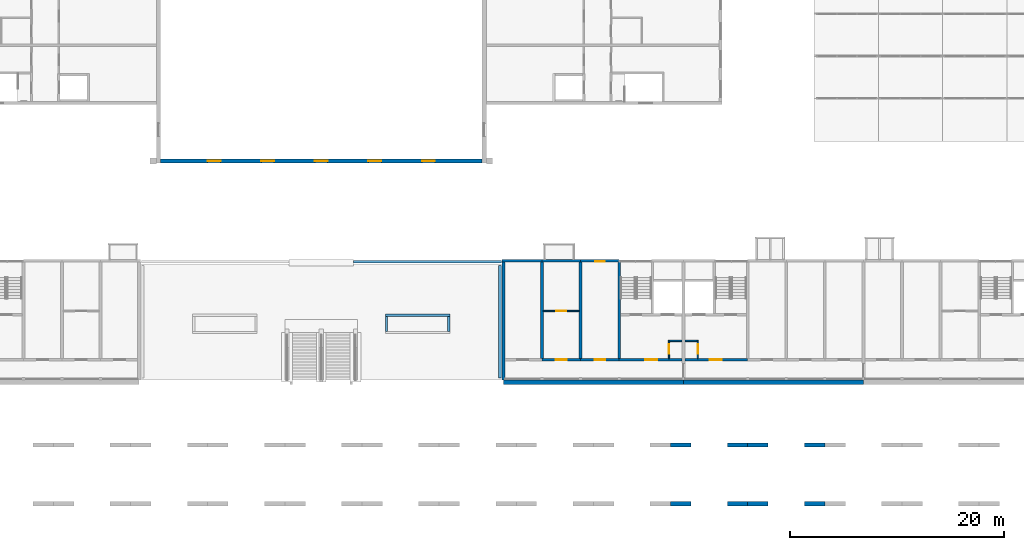
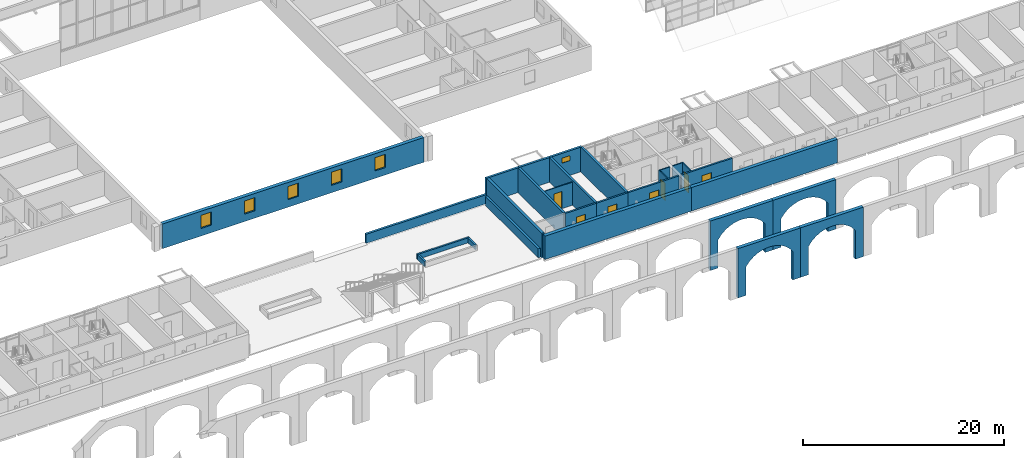
# One storey, part 68 of 122: 28 walls, 7 doors, 6 windows, 13 openings.
"""IFC4 building model written with IfcOpenShell, lengths in metres."""

from ifc_helpers import new_model, si_unit, direction, frame, frame_2d, origin, place, context, subcontext, project, spatial, polyline, rectangle, outline, extrude, material, layer, layer_set, type_object, element, fill, save


model = new_model("IFC4")

# Units and contexts
model_context = context("Model", 3, precision=1e-05, world=origin(), true_north=direction((0.0, 1.0)))
body_context = subcontext(model_context, "Body", "Model", "MODEL_VIEW")
ifc_project = project(units=[si_unit("LENGTHUNIT", "METRE"), si_unit("AREAUNIT", "SQUARE_METRE"), si_unit("VOLUMEUNIT", "CUBIC_METRE"), si_unit("PLANEANGLEUNIT", "RADIAN"), si_unit("MASSUNIT", "GRAM", prefix="KILO")], contexts=[model_context])

# Site, building, storey
site_placement = place(None, origin())
site = spatial("IfcSite", under=ifc_project, at=site_placement, CompositionType="ELEMENT")
building_placement = place(site_placement, origin())
building = spatial("IfcBuilding", under=site, at=building_placement, Name="Ridgestep Commons", CompositionType="ELEMENT")
storey_placement = place(building_placement, frame((0.0, 0.0, 3.0)))
storey = spatial("IfcBuildingStorey", under=building, at=storey_placement, Name="L01", CompositionType="ELEMENT", Elevation=3.0)

# Walls
ifc_material_1 = material(Name="Concrete C30/37", Category="concrete")
ifc_layer_1 = layer(ifc_material_1, 0.199951171875)
ifc_layer_set_1 = layer_set([ifc_layer_1], Name="Community planter wall 200")
wall_type_1 = type_object("IfcWallType", Name="Community planter wall 200", PredefinedType="SOLIDWALL", material=ifc_layer_set_1)
wall_1_placement = place(storey_placement, frame((135.800048828125, 17.800048828125, 0.0), z_axis=(0.0, 0.0, 1.0), x_axis=(1.0, 0.0, 0.0)))
element("IfcWall", 1, at=wall_1_placement, inside=storey, type_object=wall_type_1, Name="Planter wall", PredefinedType="SOLIDWALL", context=body_context, shape_type="SweptSolid", body=[
    extrude(rectangle(XDim=6.0, YDim=0.199951171875, at=frame_2d((3.0, 0.0))), origin(), (0.0, 0.0, 1.0), 0.60009765625),
])
for number, where, z_axis, x_axis, name in (
    (2, (135.89990234375, 16.300048828125, 0.0), (0.0, 0.0, 1.0), (0.0, 1.0, 0.0), "Planter wall"),
    (3, (141.699951171875, 16.300048828125, 0.0), (0.0, 0.0, 1.0), (0.0, 1.0, 0.0), "Planter wall"),
):
    element("IfcWall", number, at=place(storey_placement, frame(where, z_axis=z_axis, x_axis=x_axis)), inside=storey, type_object=wall_type_1, Name=name, PredefinedType="SOLIDWALL", context=body_context, shape_type="SweptSolid", body=[
        extrude(rectangle(XDim=1.39990234375, YDim=0.199951171875, at=frame_2d((0.699951171875, 0.0))), origin(), (0.0, 0.0, 1.0), 0.60009765625),
    ])
ifc_material_2 = material(Name="Precast concrete C40/50", Category="concrete")
ifc_layer_2 = layer(ifc_material_2, 0.39990234375)
ifc_layer_set_2 = layer_set([ifc_layer_2], Name="Community south arcade inner wall 400")
wall_type_2 = type_object("IfcWallType", Name="Community south arcade inner wall 400", PredefinedType="SOLIDWALL", material=ifc_layer_set_2)
wall_2_placement = place(storey_placement, frame((162.39990234375, 5.5, -3.25), z_axis=(0.0, -1.0, 0.0), x_axis=(1.0, 0.0, 0.0)))
element("IfcWall", 4, at=wall_2_placement, inside=storey, type_object=wall_type_2, Name="South arcade inner wall", PredefinedType="SOLIDWALL", context=body_context, shape_type="SweptSolid", body=[
    extrude(outline(polyline([(0.0, 0.0), (0.900146484375, 0.0), (0.900146484375, 3.449951171875), (1.35009765625, 4.01708984375), (1.800048828125, 4.3916015625), (2.25, 4.649169921875), (2.7001953125, 4.820068359375), (3.150146484375, 4.91796875), (3.60009765625, 4.949951171875), (4.050048828125, 4.91796875), (4.5, 4.820068359375), (4.9501953125, 4.649169921875), (5.400146484375, 4.3916015625), (5.85009765625, 4.01708984375), (6.300048828125, 3.449951171875), (6.300048828125, 0.0), (7.2001953125, 0.0), (7.2001953125, 6.0), (0.0, 6.0), (0.0, 0.0)])), origin(), (0.0, 0.0, -1.0), 0.39990234375),
])
wall_3_placement = place(storey_placement, frame((169.60009765625, 5.5, -3.25), z_axis=(0.0, -1.0, 0.0), x_axis=(1.0, 0.0, 0.0)))
element("IfcWall", 5, at=wall_3_placement, inside=storey, type_object=wall_type_2, Name="South arcade inner wall", PredefinedType="SOLIDWALL", context=body_context, shape_type="SweptSolid", body=[
    extrude(outline(polyline([(0.0, 0.0), (0.89990234375, 0.0), (0.89990234375, 3.449951171875), (1.349853515625, 4.01708984375), (1.7998046875, 4.3916015625), (2.25, 4.649169921875), (2.699951171875, 4.820068359375), (3.14990234375, 4.91796875), (3.599853515625, 4.949951171875), (4.0498046875, 4.91796875), (4.5, 4.820068359375), (4.949951171875, 4.649169921875), (5.39990234375, 4.3916015625), (5.849853515625, 4.01708984375), (6.2998046875, 3.449951171875), (6.2998046875, 0.0), (7.199951171875, 0.0), (7.199951171875, 6.0), (0.0, 6.0), (0.0, 0.0)])), origin(), (0.0, 0.0, -1.0), 0.39990234375),
])
ifc_material_3 = material(Name="Precast concrete C40/50", Category="concrete")
ifc_layer_3 = layer(ifc_material_3, 0.39990234375)
ifc_layer_set_3 = layer_set([ifc_layer_3], Name="Community south arcade wall 400")
wall_type_3 = type_object("IfcWallType", Name="Community south arcade wall 400", PredefinedType="SOLIDWALL", material=ifc_layer_set_3)
wall_4_placement = place(storey_placement, frame((162.39990234375, 0.001953125, -3.25), z_axis=(0.0, -1.0, 0.0), x_axis=(1.0, 0.0, 0.0)))
element("IfcWall", 6, at=wall_4_placement, inside=storey, type_object=wall_type_3, Name="South arcade wall", PredefinedType="SOLIDWALL", context=body_context, shape_type="SweptSolid", body=[
    extrude(outline(polyline([(0.0, 0.0), (0.900146484375, 0.0), (0.900146484375, 3.449951171875), (1.35009765625, 4.01708984375), (1.800048828125, 4.3916015625), (2.25, 4.649169921875), (2.7001953125, 4.820068359375), (3.150146484375, 4.91796875), (3.60009765625, 4.949951171875), (4.050048828125, 4.91796875), (4.5, 4.820068359375), (4.9501953125, 4.649169921875), (5.400146484375, 4.3916015625), (5.85009765625, 4.01708984375), (6.300048828125, 3.449951171875), (6.300048828125, 0.0), (7.2001953125, 0.0), (7.2001953125, 6.0), (0.0, 6.0), (0.0, 0.0)])), origin(), (0.0, 0.0, -1.0), 0.39990234375),
])
wall_5_placement = place(storey_placement, frame((169.60009765625, 0.001953125, -3.25), z_axis=(0.0, -1.0, 0.0), x_axis=(1.0, 0.0, 0.0)))
element("IfcWall", 7, at=wall_5_placement, inside=storey, type_object=wall_type_3, Name="South arcade wall", PredefinedType="SOLIDWALL", context=body_context, shape_type="SweptSolid", body=[
    extrude(outline(polyline([(0.0, 0.0), (0.89990234375, 0.0), (0.89990234375, 3.449951171875), (1.349853515625, 4.01708984375), (1.7998046875, 4.3916015625), (2.25, 4.649169921875), (2.699951171875, 4.820068359375), (3.14990234375, 4.91796875), (3.599853515625, 4.949951171875), (4.0498046875, 4.91796875), (4.5, 4.820068359375), (4.949951171875, 4.649169921875), (5.39990234375, 4.3916015625), (5.849853515625, 4.01708984375), (6.2998046875, 3.449951171875), (6.2998046875, 0.0), (7.199951171875, 0.0), (7.199951171875, 6.0), (0.0, 6.0), (0.0, 0.0)])), origin(), (0.0, 0.0, -1.0), 0.39990234375),
])
ifc_material_4 = material(Name="Precast concrete C40/50", Category="concrete")
ifc_layer_4 = layer(ifc_material_4, 0.25)
ifc_layer_set_4 = layer_set([ifc_layer_4], Name="Community terrace parapet 250")
wall_type_4 = type_object("IfcWallType", Name="Community terrace parapet 250", PredefinedType="PARAPET", material=ifc_layer_set_4)
wall_6_placement = place(storey_placement, frame((132.800048828125, 22.800048828125, 0.0), z_axis=(0.0, 0.0, 1.0), x_axis=(1.0, 0.0, 0.0)))
element("IfcWall", 8, at=wall_6_placement, inside=storey, type_object=wall_type_4, Name="Terrace parapet", PredefinedType="PARAPET", context=body_context, shape_type="SweptSolid", body=[
    extrude(rectangle(XDim=13.800048828125, YDim=0.25, at=frame_2d((6.89990234375, 0.0))), origin(), (0.0, 0.0, 1.0), 1.10009765625),
])
wall_7_placement = place(storey_placement, frame((146.47509765625, 11.949951171875, 0.0), z_axis=(0.0, 0.0, 1.0), x_axis=(0.0, 1.0, 0.0)))
element("IfcWall", 9, at=wall_7_placement, inside=storey, type_object=wall_type_4, Name="Terrace parapet", PredefinedType="PARAPET", context=body_context, shape_type="SweptSolid", body=[
    extrude(rectangle(XDim=10.5, YDim=0.25, at=frame_2d((5.25, 0.0))), origin(), (0.0, 0.0, 1.0), 1.10009765625),
])
ifc_material_5 = material(Name="Concrete C30/37", Category="concrete")
ifc_layer_5 = layer(ifc_material_5, 0.25)
ifc_layer_set_5 = layer_set([ifc_layer_5], Name="Core cross wall 250")
wall_type_5 = type_object("IfcWallType", Name="Core cross wall 250", PredefinedType="SHEAR", material=ifc_layer_set_5)
wall_8_placement = place(storey_placement, frame((157.60009765625, 13.75, 0.0), z_axis=(0.0, 0.0, 1.0), x_axis=(0.0, 1.0, 0.0)))
element("IfcWall", 10, at=wall_8_placement, inside=storey, type_object=wall_type_5, Name="Cross wall D-01-1576", PredefinedType="SHEAR", context=body_context, shape_type="SweptSolid", body=[
    extrude(rectangle(XDim=9.0, YDim=0.25, at=frame_2d((4.5, 0.0))), origin(), (0.0, 0.0, 1.0), 3.0),
])

# Wall, opening, door
ifc_material_6 = material(Name="Concrete C30/37", Category="concrete")
ifc_layer_6 = layer(ifc_material_6, 0.199951171875)
ifc_layer_set_6 = layer_set([ifc_layer_6], Name="Core south wall 200")
wall_type_6 = type_object("IfcWallType", Name="Core south wall 200", PredefinedType="SHEAR", material=ifc_layer_set_6)
wall_9_placement = place(storey_placement, frame((157.60009765625, 13.64990234375, 0.0), z_axis=(0.0, 0.0, 1.0), x_axis=(1.0, 0.0, 0.0)))
wall_9 = element("IfcWall", 11, at=wall_9_placement, inside=storey, type_object=wall_type_6, Name="Core south wall D1C L01", PredefinedType="SHEAR", context=body_context, shape_type="SweptSolid", body=[
    extrude(rectangle(XDim=5.849853515625, YDim=0.199951171875, at=frame_2d((2.9248046875, 0.0))), origin(), (0.0, 0.0, 1.0), 3.0),
])
opening_1_placement = place(wall_9_placement, frame((2.4375, 0.0, 0.0)))
opening_1 = element("IfcOpeningElement", 12, at=opening_1_placement, cuts=wall_9, Name="Opening D1C/01/1", PredefinedType="OPENING", context=body_context, shape_type="SweptSolid", body=[
    extrude(rectangle(XDim=1.10009765625, YDim=2.10009765625, at=frame_2d((0.550048828125, 1.050048828125))), frame((0.0, 0.10986328125, 0.0), z_axis=(0.0, -1.0, 0.0), x_axis=(1.0, 0.0, 0.0)), (0.0, 0.0, 1.0), 0.219970703125),
])
ifc_material_7 = material(Name="Steel fire door", Category="steel")
door_type_1 = type_object("IfcDoorType", Name="Lobby door 1100 x 2100 FD60", OperationType="NOTDEFINED", PredefinedType="DOOR", material=ifc_material_7)
door_1_placement = place(opening_1_placement, origin())
door_1 = element("IfcDoor", 13, at=door_1_placement, inside=storey, type_object=door_type_1, Name="Lobby door D1C/01/1", OperationType="SINGLE_SWING_LEFT", OverallHeight=2.10009765625, OverallWidth=1.10009765625, PredefinedType="DOOR", context=body_context, shape_type="SweptSolid", body=[
    extrude(rectangle(XDim=1.10009765625, YDim=2.10009765625, at=frame_2d((0.550048828125, 1.050048828125))), frame((0.0, 0.02490234375, 0.0), z_axis=(0.0, -1.0, 0.0), x_axis=(1.0, 0.0, 0.0)), (0.0, 0.0, 1.0), 0.050048828125),
])
fill(opening_1, door_1)

wall_10_placement = place(storey_placement, frame((163.75, 13.64990234375, 0.0), z_axis=(0.0, 0.0, 1.0), x_axis=(1.0, 0.0, 0.0)))
wall_10 = element("IfcWall", 14, at=wall_10_placement, inside=storey, type_object=wall_type_6, Name="Core south wall D2C L01", PredefinedType="SHEAR", context=body_context, shape_type="SweptSolid", body=[
    extrude(rectangle(XDim=5.85009765625, YDim=0.199951171875, at=frame_2d((2.925048828125, 0.0))), origin(), (0.0, 0.0, 1.0), 3.0),
])
opening_2_placement = place(wall_10_placement, frame((2.3125, 0.0, 0.0)))
opening_2 = element("IfcOpeningElement", 15, at=opening_2_placement, cuts=wall_10, Name="Opening D2C/01/1", PredefinedType="OPENING", context=body_context, shape_type="SweptSolid", body=[
    extrude(rectangle(XDim=1.10009765625, YDim=2.10009765625, at=frame_2d((0.550048828125, 1.050048828125))), frame((0.0, 0.10986328125, 0.0), z_axis=(0.0, -1.0, 0.0), x_axis=(1.0, 0.0, 0.0)), (0.0, 0.0, 1.0), 0.219970703125),
])
door_2_placement = place(opening_2_placement, origin())
door_2 = element("IfcDoor", 16, at=door_2_placement, inside=storey, type_object=door_type_1, Name="Lobby door D2C/01/1", OperationType="SINGLE_SWING_LEFT", OverallHeight=2.10009765625, OverallWidth=1.10009765625, PredefinedType="DOOR", context=body_context, shape_type="SweptSolid", body=[
    extrude(rectangle(XDim=1.10009765625, YDim=2.10009765625, at=frame_2d((0.550048828125, 1.050048828125))), frame((0.0, 0.02490234375, 0.0), z_axis=(0.0, -1.0, 0.0), x_axis=(1.0, 0.0, 0.0)), (0.0, 0.0, 1.0), 0.050048828125),
])
fill(opening_2, door_2)

ifc_material_8 = material(Name="Concrete C30/37", Category="concrete")
ifc_layer_7 = layer(ifc_material_8, 0.1201171875)
ifc_layer_set_7 = layer_set([ifc_layer_7], Name="Core wall 120")
wall_type_7 = type_object("IfcWallType", Name="Core wall 120", PredefinedType="SHEAR", material=ifc_layer_set_7)
wall_11_placement = place(storey_placement, frame((162.260009765625, 13.75, 0.0), z_axis=(0.0, 0.0, 1.0), x_axis=(0.0, 1.0, 0.0)))
wall_11 = element("IfcWall", 17, at=wall_11_placement, inside=storey, type_object=wall_type_7, Name="Core riser w wall D1C L01", PredefinedType="SHEAR", context=body_context, shape_type="SweptSolid", body=[
    extrude(rectangle(XDim=1.719970703125, YDim=0.1201171875, at=frame_2d((0.85986328125, 0.0))), origin(), (0.0, 0.0, 1.0), 3.0),
])
opening_3_placement = place(wall_11_placement, frame((0.449951171875, 0.0, 0.0)))
opening_3 = element("IfcOpeningElement", 18, at=opening_3_placement, cuts=wall_11, Name="Opening D1C/01/4", PredefinedType="OPENING", context=body_context, shape_type="SweptSolid", body=[
    extrude(rectangle(XDim=0.89990234375, YDim=2.10009765625, at=frame_2d((0.449951171875, 1.050048828125))), frame((0.0, 0.070068359375, 0.0), z_axis=(0.0, -1.0, 0.0), x_axis=(1.0, 0.0, 0.0)), (0.0, 0.0, 1.0), 0.14013671875),
])
ifc_material_9 = material(Name="Steel fire door", Category="steel")
door_type_2 = type_object("IfcDoorType", Name="Riser door 900 x 2100 FD60", OperationType="NOTDEFINED", PredefinedType="DOOR", material=ifc_material_9)
door_3_placement = place(opening_3_placement, origin())
door_3 = element("IfcDoor", 19, at=door_3_placement, inside=storey, type_object=door_type_2, Name="Riser door D1C/01/4", OperationType="SINGLE_SWING_LEFT", OverallHeight=2.10009765625, OverallWidth=0.89990234375, PredefinedType="DOOR", context=body_context, shape_type="SweptSolid", body=[
    extrude(rectangle(XDim=0.89990234375, YDim=2.10009765625, at=frame_2d((0.449951171875, 1.050048828125))), frame((0.0, 0.02490234375, 0.0), z_axis=(0.0, -1.0, 0.0), x_axis=(1.0, 0.0, 0.0)), (0.0, 0.0, 1.0), 0.050048828125),
])
fill(opening_3, door_3)

# Wall
wall_12_placement = place(storey_placement, frame((162.320068359375, 15.409912109375, 0.0), z_axis=(0.0, 0.0, 1.0), x_axis=(1.0, 0.0, 0.0)))
element("IfcWall", 20, at=wall_12_placement, inside=storey, type_object=wall_type_7, Name="Core riser n wall D1C L01", PredefinedType="SHEAR", context=body_context, shape_type="SweptSolid", body=[
    extrude(rectangle(XDim=1.1298828125, YDim=0.1201171875, at=frame_2d((0.56494140625, 0.0))), origin(), (0.0, 0.0, 1.0), 3.0),
])

# Wall, opening, door
wall_13_placement = place(storey_placement, frame((164.93994140625, 13.75, 0.0), z_axis=(0.0, 0.0, 1.0), x_axis=(0.0, 1.0, 0.0)))
wall_13 = element("IfcWall", 21, at=wall_13_placement, inside=storey, type_object=wall_type_7, Name="Core riser w wall D2C L01", PredefinedType="SHEAR", context=body_context, shape_type="SweptSolid", body=[
    extrude(rectangle(XDim=1.719970703125, YDim=0.1201171875, at=frame_2d((0.85986328125, 0.0))), origin(), (0.0, 0.0, 1.0), 3.0),
])
opening_4_placement = place(wall_13_placement, frame((0.449951171875, 0.0, 0.0)))
opening_4 = element("IfcOpeningElement", 22, at=opening_4_placement, cuts=wall_13, Name="Opening D2C/01/4", PredefinedType="OPENING", context=body_context, shape_type="SweptSolid", body=[
    extrude(rectangle(XDim=0.89990234375, YDim=2.10009765625, at=frame_2d((0.449951171875, 1.050048828125))), frame((0.0, 0.070068359375, 0.0), z_axis=(0.0, -1.0, 0.0), x_axis=(1.0, 0.0, 0.0)), (0.0, 0.0, 1.0), 0.14013671875),
])
door_4_placement = place(opening_4_placement, origin())
door_4 = element("IfcDoor", 23, at=door_4_placement, inside=storey, type_object=door_type_2, Name="Riser door D2C/01/4", OperationType="SINGLE_SWING_RIGHT", OverallHeight=2.10009765625, OverallWidth=0.89990234375, PredefinedType="DOOR", context=body_context, shape_type="SweptSolid", body=[
    extrude(rectangle(XDim=0.89990234375, YDim=2.10009765625, at=frame_2d((0.449951171875, 1.050048828125))), frame((0.0, 0.02490234375, 0.0), z_axis=(0.0, -1.0, 0.0), x_axis=(1.0, 0.0, 0.0)), (0.0, 0.0, 1.0), 0.050048828125),
])
fill(opening_4, door_4)

# Walls
wall_14_placement = place(storey_placement, frame((163.75, 15.409912109375, 0.0), z_axis=(0.0, 0.0, 1.0), x_axis=(1.0, 0.0, 0.0)))
element("IfcWall", 24, at=wall_14_placement, inside=storey, type_object=wall_type_7, Name="Core riser n wall D2C L01", PredefinedType="SHEAR", context=body_context, shape_type="SweptSolid", body=[
    extrude(rectangle(XDim=1.1298828125, YDim=0.1201171875, at=frame_2d((0.56494140625, 0.0))), origin(), (0.0, 0.0, 1.0), 3.0),
])
ifc_material_10 = material(Name="Precast concrete C40/50", Category="concrete")
ifc_layer_8 = layer(ifc_material_10, 0.25)
ifc_layer_set_8 = layer_set([ifc_layer_8], Name="Cross wall 250")
wall_type_8 = type_object("IfcWallType", Name="Cross wall 250", PredefinedType="SHEAR", material=ifc_layer_set_8)
for number, where, z_axis, x_axis, name in (
    (25, (150.39990234375, 13.75, 0.0), (0.0, 0.0, 1.0), (0.0, 1.0, 0.0), "Cross wall D-01-1504"),
    (26, (154.0, 13.75, 0.0), (0.0, 0.0, 1.0), (0.0, 1.0, 0.0), "Cross wall D-01-1540"),
):
    element("IfcWall", number, at=place(storey_placement, frame(where, z_axis=z_axis, x_axis=x_axis)), inside=storey, type_object=wall_type_8, Name=name, PredefinedType="SHEAR", context=body_context, shape_type="SweptSolid", body=[
        extrude(rectangle(XDim=9.0, YDim=0.25, at=frame_2d((4.5, 0.0))), origin(), (0.0, 0.0, 1.0), 3.0),
    ])
ifc_material_11 = material(Name="Precast concrete C40/50", Category="concrete")
ifc_layer_9 = layer(ifc_material_11, 0.300048828125)
ifc_layer_set_9 = layer_set([ifc_layer_9], Name="Exposed division wall 300")
wall_type_9 = type_object("IfcWallType", Name="Exposed division wall 300", PredefinedType="SHEAR", material=ifc_layer_set_9)
wall_15_placement = place(storey_placement, frame((146.800048828125, 11.75, 0.0), z_axis=(0.0, 0.0, 1.0), x_axis=(0.0, 1.0, 0.0)))
element("IfcWall", 27, at=wall_15_placement, inside=storey, type_object=wall_type_9, Name="Cross wall D-01-1468", PredefinedType="SHEAR", context=body_context, shape_type="SweptSolid", body=[
    extrude(rectangle(XDim=11.0, YDim=0.300048828125, at=frame_2d((5.5, 0.0))), origin(), (0.0, 0.0, 1.0), 3.0),
])

# Wall, openings, windows
ifc_material_12 = material(Name="Precast concrete C40/50", Category="concrete")
ifc_layer_10 = layer(ifc_material_12, 0.39990234375)
ifc_layer_set_10 = layer_set([ifc_layer_10], Name="Hall wall 400")
wall_type_10 = type_object("IfcWallType", Name="Hall wall 400", PredefinedType="SOLIDWALL", material=ifc_layer_set_10)
wall_16_placement = place(storey_placement, frame((114.800048828125, 32.199951171875, 0.0), z_axis=(0.0, 0.0, 1.0), x_axis=(1.0, 0.0, 0.0)))
wall_16 = element("IfcWall", 28, at=wall_16_placement, inside=storey, type_object=wall_type_10, Name="Hall wall 400", PredefinedType="SOLIDWALL", context=body_context, shape_type="SweptSolid", body=[
    extrude(rectangle(XDim=30.0, YDim=0.39990234375, at=frame_2d((15.0, 0.0))), origin(), (0.0, 0.0, 1.0), 3.0),
])
opening_5_placement = place(wall_16_placement, frame((4.39990234375, 0.0, 0.89990234375)))
opening_5 = element("IfcOpeningElement", 29, at=opening_5_placement, cuts=wall_16, Name="Opening WK6", PredefinedType="OPENING", context=body_context, shape_type="SweptSolid", body=[
    extrude(rectangle(XDim=1.199951171875, YDim=1.60009765625, at=frame_2d((0.60009765625, 0.800048828125))), frame((0.0, 0.2099609375, 0.0), z_axis=(0.0, -1.0, 0.0), x_axis=(1.0, 0.0, 0.0)), (0.0, 0.0, 1.0), 0.419921875),
])
opening_6_placement = place(wall_16_placement, frame((9.39990234375, 0.0, 0.89990234375)))
opening_6 = element("IfcOpeningElement", 30, at=opening_6_placement, cuts=wall_16, Name="Opening WK6", PredefinedType="OPENING", context=body_context, shape_type="SweptSolid", body=[
    extrude(rectangle(XDim=1.199951171875, YDim=1.60009765625, at=frame_2d((0.60009765625, 0.800048828125))), frame((0.0, 0.2099609375, 0.0), z_axis=(0.0, -1.0, 0.0), x_axis=(1.0, 0.0, 0.0)), (0.0, 0.0, 1.0), 0.419921875),
])
opening_7_placement = place(wall_16_placement, frame((14.39990234375, 0.0, 0.89990234375)))
opening_7 = element("IfcOpeningElement", 31, at=opening_7_placement, cuts=wall_16, Name="Opening WK6", PredefinedType="OPENING", context=body_context, shape_type="SweptSolid", body=[
    extrude(rectangle(XDim=1.199951171875, YDim=1.60009765625, at=frame_2d((0.60009765625, 0.800048828125))), frame((0.0, 0.2099609375, 0.0), z_axis=(0.0, -1.0, 0.0), x_axis=(1.0, 0.0, 0.0)), (0.0, 0.0, 1.0), 0.419921875),
])
opening_8_placement = place(wall_16_placement, frame((19.39990234375, 0.0, 0.89990234375)))
opening_8 = element("IfcOpeningElement", 32, at=opening_8_placement, cuts=wall_16, Name="Opening WK6", PredefinedType="OPENING", context=body_context, shape_type="SweptSolid", body=[
    extrude(rectangle(XDim=1.199951171875, YDim=1.60009765625, at=frame_2d((0.60009765625, 0.800048828125))), frame((0.0, 0.2099609375, 0.0), z_axis=(0.0, -1.0, 0.0), x_axis=(1.0, 0.0, 0.0)), (0.0, 0.0, 1.0), 0.419921875),
])
opening_9_placement = place(wall_16_placement, frame((24.39990234375, 0.0, 0.89990234375)))
opening_9 = element("IfcOpeningElement", 33, at=opening_9_placement, cuts=wall_16, Name="Opening WK6", PredefinedType="OPENING", context=body_context, shape_type="SweptSolid", body=[
    extrude(rectangle(XDim=1.199951171875, YDim=1.60009765625, at=frame_2d((0.60009765625, 0.800048828125))), frame((0.0, 0.2099609375, 0.0), z_axis=(0.0, -1.0, 0.0), x_axis=(1.0, 0.0, 0.0)), (0.0, 0.0, 1.0), 0.419921875),
])
ifc_material_13 = material(Name="Aluminium and glass", Category="aluminium")
window_type_1 = type_object("IfcWindowType", Name="Community high window 1200 x 1600", PartitioningType="SINGLE_PANEL", PredefinedType="WINDOW", material=ifc_material_13)
window_1_placement = place(opening_5_placement, origin())
window_1 = element("IfcWindow", 34, at=window_1_placement, inside=storey, type_object=window_type_1, Name="Community high window 1200 x 1600", OverallHeight=1.60009765625, OverallWidth=1.199951171875, PartitioningType="SINGLE_PANEL", PredefinedType="WINDOW", context=body_context, shape_type="SweptSolid", body=[
    extrude(rectangle(XDim=1.199951171875, YDim=1.60009765625, at=frame_2d((0.60009765625, 0.800048828125))), frame((0.0, 0.030029296875, 0.0), z_axis=(0.0, -1.0, 0.0), x_axis=(1.0, 0.0, 0.0)), (0.0, 0.0, 1.0), 0.06005859375),
])
fill(opening_5, window_1)
window_2_placement = place(opening_6_placement, origin())
window_2 = element("IfcWindow", 35, at=window_2_placement, inside=storey, type_object=window_type_1, Name="Community high window 1200 x 1600", OverallHeight=1.60009765625, OverallWidth=1.199951171875, PartitioningType="SINGLE_PANEL", PredefinedType="WINDOW", context=body_context, shape_type="SweptSolid", body=[
    extrude(rectangle(XDim=1.199951171875, YDim=1.60009765625, at=frame_2d((0.60009765625, 0.800048828125))), frame((0.0, 0.030029296875, 0.0), z_axis=(0.0, -1.0, 0.0), x_axis=(1.0, 0.0, 0.0)), (0.0, 0.0, 1.0), 0.06005859375),
])
fill(opening_6, window_2)
window_3_placement = place(opening_7_placement, origin())
window_3 = element("IfcWindow", 36, at=window_3_placement, inside=storey, type_object=window_type_1, Name="Community high window 1200 x 1600", OverallHeight=1.60009765625, OverallWidth=1.199951171875, PartitioningType="SINGLE_PANEL", PredefinedType="WINDOW", context=body_context, shape_type="SweptSolid", body=[
    extrude(rectangle(XDim=1.199951171875, YDim=1.60009765625, at=frame_2d((0.60009765625, 0.800048828125))), frame((0.0, 0.030029296875, 0.0), z_axis=(0.0, -1.0, 0.0), x_axis=(1.0, 0.0, 0.0)), (0.0, 0.0, 1.0), 0.06005859375),
])
fill(opening_7, window_3)
window_4_placement = place(opening_8_placement, origin())
window_4 = element("IfcWindow", 37, at=window_4_placement, inside=storey, type_object=window_type_1, Name="Community high window 1200 x 1600", OverallHeight=1.60009765625, OverallWidth=1.199951171875, PartitioningType="SINGLE_PANEL", PredefinedType="WINDOW", context=body_context, shape_type="SweptSolid", body=[
    extrude(rectangle(XDim=1.199951171875, YDim=1.60009765625, at=frame_2d((0.60009765625, 0.800048828125))), frame((0.0, 0.030029296875, 0.0), z_axis=(0.0, -1.0, 0.0), x_axis=(1.0, 0.0, 0.0)), (0.0, 0.0, 1.0), 0.06005859375),
])
fill(opening_8, window_4)
window_5_placement = place(opening_9_placement, origin())
window_5 = element("IfcWindow", 38, at=window_5_placement, inside=storey, type_object=window_type_1, Name="Community high window 1200 x 1600", OverallHeight=1.60009765625, OverallWidth=1.199951171875, PartitioningType="SINGLE_PANEL", PredefinedType="WINDOW", context=body_context, shape_type="SweptSolid", body=[
    extrude(rectangle(XDim=1.199951171875, YDim=1.60009765625, at=frame_2d((0.60009765625, 0.800048828125))), frame((0.0, 0.030029296875, 0.0), z_axis=(0.0, -1.0, 0.0), x_axis=(1.0, 0.0, 0.0)), (0.0, 0.0, 1.0), 0.06005859375),
])
fill(opening_9, window_5)

# Walls
ifc_material_14 = material(Name="Precast concrete C40/50", Category="concrete")
ifc_layer_11 = layer(ifc_material_14, 0.25)
ifc_layer_set_11 = layer_set([ifc_layer_11], Name="North facade panel 250")
wall_type_11 = type_object("IfcWallType", Name="North facade panel 250", PredefinedType="SOLIDWALL", material=ifc_layer_set_11)
wall_17_placement = place(storey_placement, frame((146.64990234375, 22.875, 0.0), z_axis=(0.0, 0.0, 1.0), x_axis=(1.0, 0.0, 0.0)))
element("IfcWall", 39, at=wall_17_placement, inside=storey, type_object=wall_type_11, Name="North panel D1T1 L01", PredefinedType="SOLIDWALL", context=body_context, shape_type="SweptSolid", body=[
    extrude(rectangle(XDim=3.75, YDim=0.25, at=frame_2d((1.875, 0.0))), origin(), (0.0, 0.0, 1.0), 3.0),
])
wall_18_placement = place(storey_placement, frame((150.39990234375, 22.875, 0.0), z_axis=(0.0, 0.0, 1.0), x_axis=(1.0, 0.0, 0.0)))
element("IfcWall", 40, at=wall_18_placement, inside=storey, type_object=wall_type_11, Name="North panel D1T2 L01", PredefinedType="SOLIDWALL", context=body_context, shape_type="SweptSolid", body=[
    extrude(rectangle(XDim=3.60009765625, YDim=0.25, at=frame_2d((1.800048828125, 0.0))), origin(), (0.0, 0.0, 1.0), 3.0),
])

# Wall, opening, window
wall_19_placement = place(storey_placement, frame((154.0, 22.875, 0.0), z_axis=(0.0, 0.0, 1.0), x_axis=(1.0, 0.0, 0.0)))
wall_19 = element("IfcWall", 41, at=wall_19_placement, inside=storey, type_object=wall_type_11, Name="North panel D1T3 L01", PredefinedType="SOLIDWALL", context=body_context, shape_type="SweptSolid", body=[
    extrude(rectangle(XDim=3.60009765625, YDim=0.25, at=frame_2d((1.800048828125, 0.0))), origin(), (0.0, 0.0, 1.0), 3.0),
])
opening_10_placement = place(wall_19_placement, frame((1.35009765625, 0.0, 1.800048828125)))
opening_10 = element("IfcOpeningElement", 42, at=opening_10_placement, cuts=wall_19, Name="Opening W02", PredefinedType="OPENING", context=body_context, shape_type="SweptSolid", body=[
    extrude(rectangle(XDim=0.89990234375, YDim=0.60009765625, at=frame_2d((0.449951171875, 0.300048828125))), frame((0.0, 0.135009765625, 0.0), z_axis=(0.0, -1.0, 0.0), x_axis=(1.0, 0.0, 0.0)), (0.0, 0.0, 1.0), 0.27001953125),
])
ifc_material_15 = material(Name="Aluminium 6063-T6 and glass", Category="aluminium")
window_type_2 = type_object("IfcWindowType", Name="Flat window 900 x 600", PartitioningType="SINGLE_PANEL", PredefinedType="WINDOW", material=ifc_material_15)
window_6_placement = place(opening_10_placement, origin())
window_6 = element("IfcWindow", 43, at=window_6_placement, inside=storey, type_object=window_type_2, Name="Window D1-01p 2", OverallHeight=0.60009765625, OverallWidth=0.89990234375, PartitioningType="SINGLE_PANEL", PredefinedType="WINDOW", context=body_context, shape_type="SweptSolid", body=[
    extrude(rectangle(XDim=0.89990234375, YDim=0.60009765625, at=frame_2d((0.449951171875, 0.300048828125))), frame((0.0, -0.02490234375, 0.0), z_axis=(0.0, -1.0, 0.0), x_axis=(1.0, 0.0, 0.0)), (0.0, 0.0, 1.0), 0.06005859375),
])
fill(opening_10, window_6)

# Wall, opening, door
ifc_material_16 = material(Name="Common brick 110 mm", Category="masonry")
ifc_layer_12 = layer(ifc_material_16, 0.110107421875)
ifc_layer_set_12 = layer_set([ifc_layer_12], Name="Partition 110")
wall_type_12 = type_object("IfcWallType", Name="Partition 110", PredefinedType="PARTITIONING", material=ifc_layer_set_12)
wall_20_placement = place(storey_placement, frame((150.52490234375, 18.205078125, 0.0), z_axis=(0.0, 0.0, 1.0), x_axis=(1.0, 0.0, 0.0)))
wall_20 = element("IfcWall", 44, at=wall_20_placement, inside=storey, type_object=wall_type_12, Name="Partition D1-01p", PredefinedType="PARTITIONING", context=body_context, shape_type="SweptSolid", body=[
    extrude(rectangle(XDim=3.35009765625, YDim=0.110107421875, at=frame_2d((1.675048828125, 0.0))), origin(), (0.0, 0.0, 1.0), 2.800048828125),
])
opening_11_placement = place(wall_20_placement, frame((1.22509765625, 0.0, 0.0)))
opening_11 = element("IfcOpeningElement", 45, at=opening_11_placement, cuts=wall_20, Name="Opening D1-01p/3", PredefinedType="OPENING", context=body_context, shape_type="SweptSolid", body=[
    extrude(rectangle(XDim=0.89990234375, YDim=2.10009765625, at=frame_2d((0.449951171875, 1.050048828125))), frame((0.0, 0.06494140625, 0.0), z_axis=(0.0, -1.0, 0.0), x_axis=(1.0, 0.0, 0.0)), (0.0, 0.0, 1.0), 0.130126953125),
])
ifc_material_17 = material(Name="Timber door leaf", Category="wood")
door_type_3 = type_object("IfcDoorType", Name="Internal door 900 x 2100", OperationType="NOTDEFINED", PredefinedType="DOOR", material=ifc_material_17)
door_5_placement = place(opening_11_placement, origin())
door_5 = element("IfcDoor", 46, at=door_5_placement, inside=storey, type_object=door_type_3, Name="Internal door D1-01p/3", OperationType="SINGLE_SWING_LEFT", OverallHeight=2.10009765625, OverallWidth=0.89990234375, PredefinedType="DOOR", context=body_context, shape_type="SweptSolid", body=[
    extrude(rectangle(XDim=0.89990234375, YDim=2.10009765625, at=frame_2d((0.449951171875, 1.050048828125))), frame((0.0, 0.02490234375, 0.0), z_axis=(0.0, -1.0, 0.0), x_axis=(1.0, 0.0, 0.0)), (0.0, 0.0, 1.0), 0.050048828125),
])
fill(opening_11, door_5)

# Walls
ifc_material_18 = material(Name="Concrete C30/37", Category="concrete")
ifc_layer_13 = layer(ifc_material_18, 0.39990234375)
ifc_layer_set_13 = layer_set([ifc_layer_13], Name="Plinth retaining wall 400")
wall_type_13 = type_object("IfcWallType", Name="Plinth retaining wall 400", PredefinedType="SOLIDWALL", material=ifc_layer_set_13)
wall_21_placement = place(storey_placement, frame((146.800048828125, 11.550048828125, 0.0), z_axis=(0.0, 0.0, 1.0), x_axis=(1.0, 0.0, 0.0)))
element("IfcWall", 47, at=wall_21_placement, inside=storey, type_object=wall_type_13, Name="Plinth retaining wall D1 L01", PredefinedType="SOLIDWALL", context=body_context, shape_type="SweptSolid", body=[
    extrude(rectangle(XDim=16.800048828125, YDim=0.39990234375, at=frame_2d((8.39990234375, 0.0))), origin(), (0.0, 0.0, 1.0), 2.85009765625),
])
wall_22_placement = place(storey_placement, frame((163.60009765625, 11.550048828125, 0.0), z_axis=(0.0, 0.0, 1.0), x_axis=(1.0, 0.0, 0.0)))
element("IfcWall", 48, at=wall_22_placement, inside=storey, type_object=wall_type_13, Name="Plinth retaining wall D2 L01", PredefinedType="SOLIDWALL", context=body_context, shape_type="SweptSolid", body=[
    extrude(rectangle(XDim=16.7998046875, YDim=0.39990234375, at=frame_2d((8.39990234375, 0.0))), origin(), (0.0, 0.0, 1.0), 2.85009765625),
])

# Wall, opening, door
ifc_material_19 = material(Name="Precast concrete C40/50", Category="concrete")
ifc_layer_14 = layer(ifc_material_19, 0.199951171875)
ifc_layer_set_14 = layer_set([ifc_layer_14], Name="South facade panel 200")
wall_type_14 = type_object("IfcWallType", Name="South facade panel 200", PredefinedType="SOLIDWALL", material=ifc_layer_set_14)
wall_23_placement = place(storey_placement, frame((150.39990234375, 13.64990234375, 0.0), z_axis=(0.0, 0.0, 1.0), x_axis=(1.0, 0.0, 0.0)))
wall_23 = element("IfcWall", 49, at=wall_23_placement, inside=storey, type_object=wall_type_14, Name="South panel D1T2 L01", PredefinedType="SOLIDWALL", context=body_context, shape_type="SweptSolid", body=[
    extrude(rectangle(XDim=3.60009765625, YDim=0.199951171875, at=frame_2d((1.800048828125, 0.0))), origin(), (0.0, 0.0, 1.0), 3.0),
])
opening_12_placement = place(wall_23_placement, frame((1.300048828125, 0.0, 0.0)))
opening_12 = element("IfcOpeningElement", 50, at=opening_12_placement, cuts=wall_23, Name="Opening D1-01p/2", PredefinedType="OPENING", context=body_context, shape_type="SweptSolid", body=[
    extrude(rectangle(XDim=1.0, YDim=2.10009765625, at=frame_2d((0.5, 1.050048828125))), frame((0.0, 0.10986328125, 0.0), z_axis=(0.0, -1.0, 0.0), x_axis=(1.0, 0.0, 0.0)), (0.0, 0.0, 1.0), 0.219970703125),
])
ifc_material_20 = material(Name="Steel door leaf", Category="steel")
door_type_4 = type_object("IfcDoorType", Name="Store door 1000 x 2100", OperationType="NOTDEFINED", PredefinedType="DOOR", material=ifc_material_20)
door_6_placement = place(opening_12_placement, origin())
door_6 = element("IfcDoor", 51, at=door_6_placement, inside=storey, type_object=door_type_4, Name="Store door D1-01p/2", OperationType="SINGLE_SWING_RIGHT", OverallHeight=2.10009765625, OverallWidth=1.0, PredefinedType="DOOR", context=body_context, shape_type="SweptSolid", body=[
    extrude(rectangle(XDim=1.0, YDim=2.10009765625, at=frame_2d((0.5, 1.050048828125))), frame((0.0, 0.02490234375, 0.0), z_axis=(0.0, -1.0, 0.0), x_axis=(1.0, 0.0, 0.0)), (0.0, 0.0, 1.0), 0.050048828125),
])
fill(opening_12, door_6)

wall_24_placement = place(storey_placement, frame((154.0, 13.64990234375, 0.0), z_axis=(0.0, 0.0, 1.0), x_axis=(1.0, 0.0, 0.0)))
wall_24 = element("IfcWall", 52, at=wall_24_placement, inside=storey, type_object=wall_type_14, Name="South panel D1T3 L01", PredefinedType="SOLIDWALL", context=body_context, shape_type="SweptSolid", body=[
    extrude(rectangle(XDim=3.60009765625, YDim=0.199951171875, at=frame_2d((1.800048828125, 0.0))), origin(), (0.0, 0.0, 1.0), 3.0),
])
opening_13_placement = place(wall_24_placement, frame((1.300048828125, 0.0, 0.0)))
opening_13 = element("IfcOpeningElement", 53, at=opening_13_placement, cuts=wall_24, Name="Opening D1-01p/4", PredefinedType="OPENING", context=body_context, shape_type="SweptSolid", body=[
    extrude(rectangle(XDim=1.0, YDim=2.10009765625, at=frame_2d((0.5, 1.050048828125))), frame((0.0, 0.10986328125, 0.0), z_axis=(0.0, -1.0, 0.0), x_axis=(1.0, 0.0, 0.0)), (0.0, 0.0, 1.0), 0.219970703125),
])
door_7_placement = place(opening_13_placement, origin())
door_7 = element("IfcDoor", 54, at=door_7_placement, inside=storey, type_object=door_type_4, Name="Store door D1-01p/4", OperationType="SINGLE_SWING_RIGHT", OverallHeight=2.10009765625, OverallWidth=1.0, PredefinedType="DOOR", context=body_context, shape_type="SweptSolid", body=[
    extrude(rectangle(XDim=1.0, YDim=2.10009765625, at=frame_2d((0.5, 1.050048828125))), frame((0.0, 0.02490234375, 0.0), z_axis=(0.0, -1.0, 0.0), x_axis=(1.0, 0.0, 0.0)), (0.0, 0.0, 1.0), 0.050048828125),
])
fill(opening_13, door_7)

save(model, "model.ifc")
